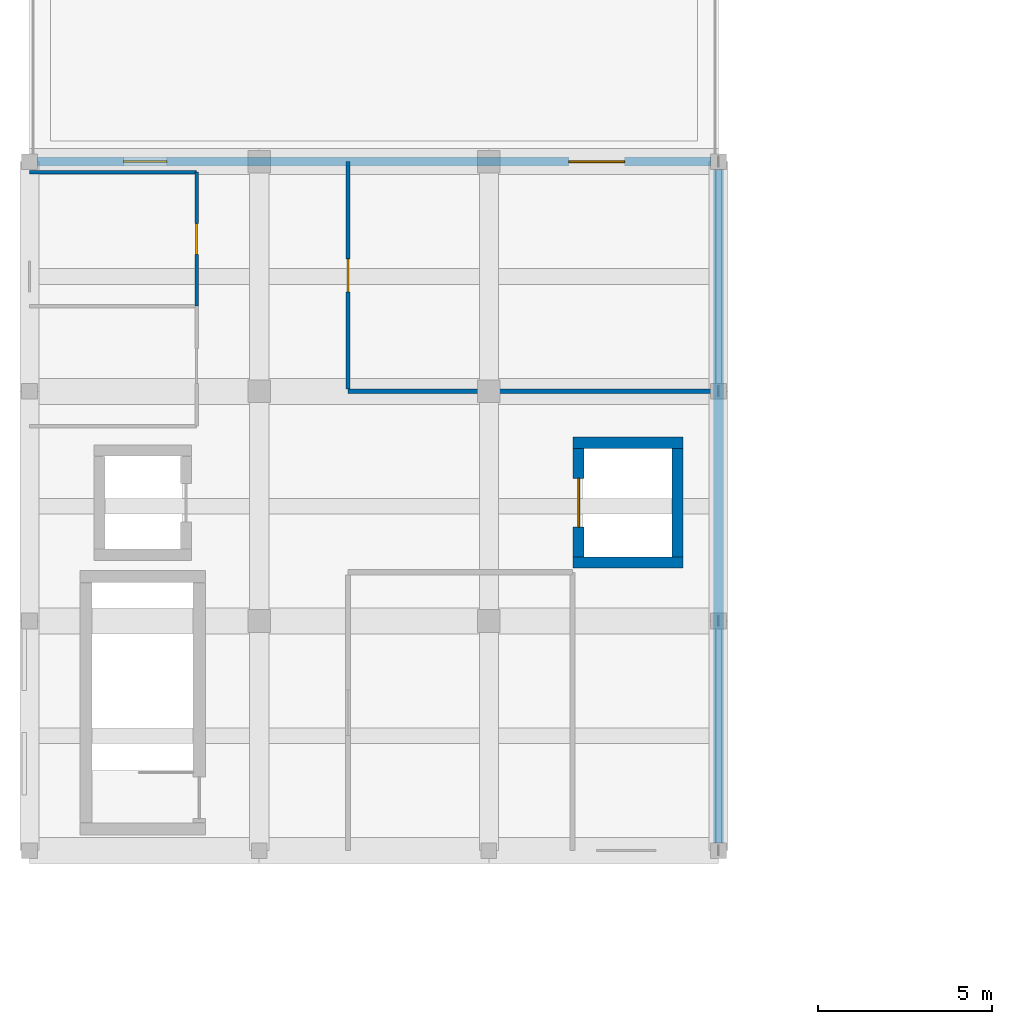
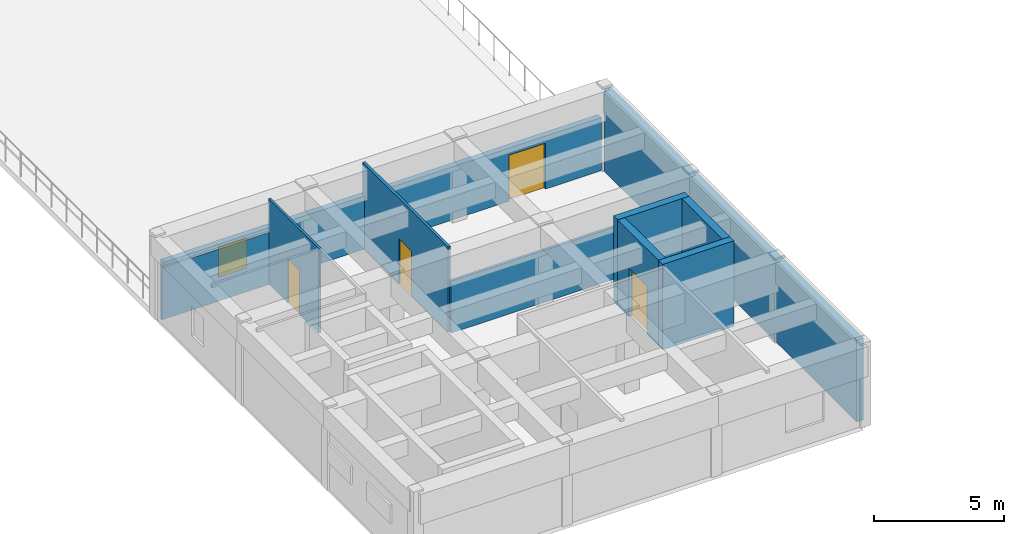
# One storey, part 96 of 106: 10 walls, 4 doors, 1 window, 5 openings.
"""IFC4 building model written with IfcOpenShell, lengths in metres."""

from ifc_helpers import new_model, si_unit, direction, frame, frame_2d, origin, place, context, subcontext, project, spatial, rectangle, extrude, material, layer, layer_set, type_object, element, fill, save


model = new_model("IFC4")

# Units and contexts
model_context = context("Model", 3, precision=1e-05, world=origin(), true_north=direction((0.0, 1.0)))
body_context = subcontext(model_context, "Body", "Model", "MODEL_VIEW")
ifc_project = project(units=[si_unit("LENGTHUNIT", "METRE"), si_unit("AREAUNIT", "SQUARE_METRE"), si_unit("VOLUMEUNIT", "CUBIC_METRE"), si_unit("PLANEANGLEUNIT", "RADIAN"), si_unit("MASSUNIT", "GRAM", prefix="KILO")], contexts=[model_context])

# Site, building, storey
site_placement = place(None, origin())
site = spatial("IfcSite", under=ifc_project, at=site_placement, CompositionType="ELEMENT")
building_placement = place(site_placement, origin())
building = spatial("IfcBuilding", under=site, at=building_placement, Name="Karori Crest Natural Sciences Institute", CompositionType="ELEMENT")
storey_placement = place(building_placement, frame((0.0, 0.0, 25.89990234375)))
storey = spatial("IfcBuildingStorey", under=building, at=storey_placement, Name="L06", CompositionType="ELEMENT", Elevation=25.89990234375)

# Walls
ifc_material_1 = material(Name="Concrete 50 MPa", Category="concrete")
ifc_layer_1 = layer(ifc_material_1, 0.320068359375, Name="Concrete 50 MPa")
ifc_layer_set_1 = layer_set([ifc_layer_1], Name="Concrete 50 MPa")
wall_type_1 = type_object("IfcWallType", Name="IWT-03", PredefinedType="SHEAR", material=ifc_layer_set_1)
for number, where, z_axis, x_axis, name in (
    (1, (23.02001953125, 103.280029296875, 0.0), (0.0, 0.0, 1.0), (1.0, 0.0, 0.0), "Shear wall IW-0547"),
    (2, (23.02001953125, 106.719970703125, 0.0), (0.0, 0.0, 1.0), (1.0, 0.0, 0.0), "Shear wall IW-0548"),
):
    element("IfcWall", number, at=place(storey_placement, frame(where, z_axis=z_axis, x_axis=x_axis)), inside=storey, type_object=wall_type_1, Name=name, PredefinedType="SHEAR", context=body_context, shape_type="SweptSolid", body=[
        extrude(rectangle(XDim=3.159912109375, YDim=0.320068359375, at=frame_2d((1.580078125, 0.0))), origin(), (0.0, 0.0, 1.0), 4.0),
    ])

# Wall, opening, door
wall_1_placement = place(storey_placement, frame((23.179931640625, 103.44189453125, 0.0), z_axis=(0.0, 0.0, 1.0), x_axis=(0.0, 1.0, 0.0)))
wall_1 = element("IfcWall", 3, at=wall_1_placement, inside=storey, type_object=wall_type_1, Name="Shear wall IW-0549", PredefinedType="SHEAR", context=body_context, shape_type="SweptSolid", body=[
    extrude(rectangle(XDim=3.1162109375, YDim=0.320068359375, at=frame_2d((1.55810546875, 0.0))), origin(), (0.0, 0.0, 1.0), 4.0),
])
opening_1_placement = place(wall_1_placement, frame((0.85791015625, 0.0, 0.0)))
opening_1 = element("IfcOpeningElement", 4, at=opening_1_placement, cuts=wall_1, Name="Opening LD-0063", PredefinedType="OPENING", context=body_context, shape_type="SweptSolid", body=[
    extrude(rectangle(XDim=1.39990234375, YDim=2.25, at=frame_2d((0.699951171875, 1.125))), frame((0.0, 0.169921875, 0.0), z_axis=(0.0, -1.0, 0.0), x_axis=(1.0, 0.0, 0.0)), (0.0, 0.0, 1.0), 0.340087890625),
])
ifc_material_2 = material(Name="Stainless steel 316 and fire-rated timber", Category="steel")
door_type_1 = type_object("IfcDoorType", Name="LDT-03", OperationType="DOUBLE_DOOR_SLIDING", PredefinedType="DOOR", material=ifc_material_2)
door_1_placement = place(opening_1_placement, origin())
door_1 = element("IfcDoor", 5, at=door_1_placement, inside=storey, type_object=door_type_1, Name="Lift LG-01 landing door LD-0063", OperationType="DOUBLE_DOOR_SLIDING", OverallHeight=2.25, OverallWidth=1.39990234375, PredefinedType="DOOR", context=body_context, shape_type="SweptSolid", body=[
    extrude(rectangle(XDim=1.39990234375, YDim=2.25, at=frame_2d((0.699951171875, 1.125))), frame((0.0, 0.02490234375, 0.0), z_axis=(0.0, -1.0, 0.0), x_axis=(1.0, 0.0, 0.0)), (0.0, 0.0, 1.0), 0.050048828125),
])
fill(opening_1, door_1)

# Walls
wall_2_placement = place(storey_placement, frame((26.02001953125, 103.44189453125, 0.0), z_axis=(0.0, 0.0, 1.0), x_axis=(0.0, 1.0, 0.0)))
element("IfcWall", 6, at=wall_2_placement, inside=storey, type_object=wall_type_1, Name="Shear wall IW-0550", PredefinedType="SHEAR", context=body_context, shape_type="SweptSolid", body=[
    extrude(rectangle(XDim=3.1162109375, YDim=0.320068359375, at=frame_2d((1.55810546875, 0.0))), origin(), (0.0, 0.0, 1.0), 4.0),
])
ifc_material_3 = material(Name="Write-up office acoustic partition")
ifc_layer_2 = layer(ifc_material_3, 0.1201171875, Name="Write-up office acoustic partition")
ifc_layer_set_2 = layer_set([ifc_layer_2], Name="Write-up office acoustic partition")
wall_type_2 = type_object("IfcWallType", Name="IWT-08", PredefinedType="PARTITIONING", material=ifc_layer_set_2)
wall_3_placement = place(storey_placement, frame((16.550048828125, 108.199951171875, 0.0), z_axis=(0.0, 0.0, 1.0), x_axis=(1.0, 0.0, 0.0)))
element("IfcWall", 7, at=wall_3_placement, inside=storey, type_object=wall_type_2, Name="Partition wall IW-1048", PredefinedType="PARTITIONING", context=body_context, shape_type="SweptSolid", body=[
    extrude(rectangle(XDim=10.64990234375, YDim=0.1201171875, at=frame_2d((5.324951171875, 0.0))), origin(), (0.0, 0.0, 1.0), 2.43505859375),
])

# Wall, opening, door
wall_4_placement = place(storey_placement, frame((16.550048828125, 108.261962890625, 0.0), z_axis=(0.0, 0.0, 1.0), x_axis=(0.0, 1.0, 0.0)))
wall_4 = element("IfcWall", 8, at=wall_4_placement, inside=storey, type_object=wall_type_2, Name="Partition wall IW-1049", PredefinedType="PARTITIONING", context=body_context, shape_type="SweptSolid", body=[
    extrude(rectangle(XDim=6.5380859375, YDim=0.1201171875, at=frame_2d((3.26904296875, 0.0))), origin(), (0.0, 0.0, 1.0), 3.97998046875),
])
opening_2_placement = place(wall_4_placement, frame((2.7939453125, 0.0, 0.0)))
opening_2 = element("IfcOpeningElement", 9, at=opening_2_placement, cuts=wall_4, Name="Opening ID-0292", PredefinedType="OPENING", context=body_context, shape_type="SweptSolid", body=[
    extrude(rectangle(XDim=0.949951171875, YDim=2.10009765625, at=frame_2d((0.47509765625, 1.050048828125))), frame((0.0, 0.070068359375, 0.0), z_axis=(0.0, -1.0, 0.0), x_axis=(1.0, 0.0, 0.0)), (0.0, 0.0, 1.0), 0.14013671875),
])
ifc_material_4 = material(Name="Anodised aluminium and acoustic timber", Category="wood")
door_type_2 = type_object("IfcDoorType", Name="IDT-08", OperationType="NOTDEFINED", PredefinedType="DOOR", material=ifc_material_4)
door_2_placement = place(opening_2_placement, origin())
door_2 = element("IfcDoor", 10, at=door_2_placement, inside=storey, type_object=door_type_2, Name="Botanical Roof Garden Research Lounge door ID-0292", OperationType="SINGLE_SWING_RIGHT", OverallHeight=2.10009765625, OverallWidth=0.949951171875, PredefinedType="DOOR", context=body_context, shape_type="SweptSolid", body=[
    extrude(rectangle(XDim=0.949951171875, YDim=2.10009765625, at=frame_2d((0.47509765625, 1.050048828125))), frame((0.0, 0.02490234375, 0.0), z_axis=(0.0, -1.0, 0.0), x_axis=(1.0, 0.0, 0.0)), (0.0, 0.0, 1.0), 0.050048828125),
])
fill(opening_2, door_2)

# Wall
ifc_material_5 = material(Name="Washroom moisture-resistant partition")
ifc_layer_3 = layer(ifc_material_5, 0.10009765625, Name="Washroom moisture-resistant partition")
ifc_layer_set_3 = layer_set([ifc_layer_3], Name="Washroom moisture-resistant partition")
wall_type_3 = type_object("IfcWallType", Name="IWT-09", PredefinedType="PARTITIONING", material=ifc_layer_set_3)
wall_5_placement = place(storey_placement, frame((7.39990234375, 114.5, 0.0), z_axis=(0.0, 0.0, 1.0), x_axis=(1.0, 0.0, 0.0)))
element("IfcWall", 11, at=wall_5_placement, inside=storey, type_object=wall_type_3, Name="Partition wall IW-1043", PredefinedType="PARTITIONING", context=body_context, shape_type="SweptSolid", body=[
    extrude(rectangle(XDim=4.800048828125, YDim=0.10009765625, at=frame_2d((2.39990234375, 0.0))), origin(), (0.0, 0.0, 1.0), 2.43505859375),
])

# Wall, opening, door
wall_6_placement = place(storey_placement, frame((12.199951171875, 110.652099609375, 0.0), z_axis=(0.0, 0.0, 1.0), x_axis=(0.0, 1.0, 0.0)))
wall_6 = element("IfcWall", 12, at=wall_6_placement, inside=storey, type_object=wall_type_3, Name="Partition wall IW-1044", PredefinedType="PARTITIONING", context=body_context, shape_type="SweptSolid", body=[
    extrude(rectangle(XDim=3.847900390625, YDim=0.10009765625, at=frame_2d((1.923828125, 0.0))), origin(), (0.0, 0.0, 1.0), 3.97998046875),
])
opening_3_placement = place(wall_6_placement, frame((1.48388671875, 0.0, 0.0)))
opening_3 = element("IfcOpeningElement", 13, at=opening_3_placement, cuts=wall_6, Name="Opening ID-0290", PredefinedType="OPENING", context=body_context, shape_type="SweptSolid", body=[
    extrude(rectangle(XDim=0.8798828125, YDim=2.080078125, at=frame_2d((0.43994140625, 1.0400390625))), frame((0.0, 0.06005859375, 0.0), z_axis=(0.0, -1.0, 0.0), x_axis=(1.0, 0.0, 0.0)), (0.0, 0.0, 1.0), 0.1201171875),
])
door_type_3 = type_object("IfcDoorType", Name="IDT-10", OperationType="NOTDEFINED", PredefinedType="DOOR", material=ifc_material_4)
door_3_placement = place(opening_3_placement, origin())
door_3 = element("IfcDoor", 14, at=door_3_placement, inside=storey, type_object=door_type_3, Name="Unisex Washroom WC door ID-0290", OperationType="SINGLE_SWING_RIGHT", OverallHeight=2.080078125, OverallWidth=0.8798828125, PredefinedType="DOOR", context=body_context, shape_type="SweptSolid", body=[
    extrude(rectangle(XDim=0.8798828125, YDim=2.080078125, at=frame_2d((0.43994140625, 1.0400390625))), frame((0.0, 0.02490234375, 0.0), z_axis=(0.0, -1.0, 0.0), x_axis=(1.0, 0.0, 0.0)), (0.0, 0.0, 1.0), 0.050048828125),
])
fill(opening_3, door_3)

# Wall
ifc_material_6 = material(Name="Precast concrete 40 MPa", Category="concrete")
ifc_layer_4 = layer(ifc_material_6, 0.300048828125, Name="Precast concrete 40 MPa")
ifc_layer_set_4 = layer_set([ifc_layer_4], Name="Precast concrete 40 MPa")
wall_type_4 = type_object("IfcWallType", Name="WT-01", PredefinedType="SOLIDWALL", material=ifc_layer_set_4)
wall_7_placement = place(storey_placement, frame((27.199951171875, 114.576904296875, 0.0), z_axis=(0.0, 0.0, 1.0), x_axis=(0.0, -1.0, 0.0)))
element("IfcWall", 15, at=wall_7_placement, inside=storey, type_object=wall_type_4, Name="Exterior wall EW-0181", PredefinedType="SOLIDWALL", context=body_context, shape_type="SweptSolid", body=[
    extrude(rectangle(XDim=19.35400390625, YDim=0.300048828125, at=frame_2d((9.677001953125, 0.0))), origin(), (0.0, 0.0, 1.0), 3.840087890625),
])

# Wall, openings, door, window
ifc_layer_5 = layer(ifc_material_6, 0.260009765625, Name="Precast concrete 40 MPa")
ifc_layer_set_5 = layer_set([ifc_layer_5], Name="Precast concrete 40 MPa")
wall_type_5 = type_object("IfcWallType", Name="WT-03", PredefinedType="SOLIDWALL", material=ifc_layer_set_5)
wall_8_placement = place(storey_placement, frame((7.623046875, 114.800048828125, 0.0), z_axis=(0.0, 0.0, 1.0), x_axis=(1.0, 0.0, 0.0)))
wall_8 = element("IfcWall", 16, at=wall_8_placement, inside=storey, type_object=wall_type_5, Name="Exterior wall EW-0183", PredefinedType="SOLIDWALL", context=body_context, shape_type="SweptSolid", body=[
    extrude(rectangle(XDim=19.35400390625, YDim=0.260009765625, at=frame_2d((9.677001953125, 0.0))), origin(), (0.0, 0.0, 1.0), 2.47998046875),
])
opening_4_placement = place(wall_8_placement, frame((15.277099609375, 0.0, 0.0)))
opening_4 = element("IfcOpeningElement", 17, at=opening_4_placement, cuts=wall_8, Name="Opening ED-0023", PredefinedType="OPENING", context=body_context, shape_type="SweptSolid", body=[
    extrude(rectangle(XDim=1.60009765625, YDim=2.14990234375, at=frame_2d((0.800048828125, 1.074951171875))), frame((0.0, 0.14013671875, 0.0), z_axis=(0.0, -1.0, 0.0), x_axis=(1.0, 0.0, 0.0)), (0.0, 0.0, 1.0), 0.280029296875),
])
opening_5_placement = place(wall_8_placement, frame((2.47705078125, 0.0, 0.85009765625)))
opening_5 = element("IfcOpeningElement", 18, at=opening_5_placement, cuts=wall_8, Name="Opening WN-0127", PredefinedType="OPENING", context=body_context, shape_type="SweptSolid", body=[
    extrude(rectangle(XDim=1.25, YDim=1.39990234375, at=frame_2d((0.625, 0.699951171875))), frame((0.0, 0.14013671875, 0.0), z_axis=(0.0, -1.0, 0.0), x_axis=(1.0, 0.0, 0.0)), (0.0, 0.0, 1.0), 0.280029296875),
])
ifc_material_7 = material(Name="Anodised architectural aluminium 6063-T6", Category="aluminium")
door_type_4 = type_object("IfcDoorType", Name="EDT-05", OperationType="DOUBLE_DOOR_SINGLE_SWING", PredefinedType="DOOR", material=ifc_material_7)
door_4_placement = place(opening_4_placement, origin())
door_4 = element("IfcDoor", 19, at=door_4_placement, inside=storey, type_object=door_type_4, Name="L06 roof garden lounge door ED-0023", OperationType="DOUBLE_DOOR_SINGLE_SWING", OverallHeight=2.14990234375, OverallWidth=1.60009765625, PredefinedType="DOOR", context=body_context, shape_type="SweptSolid", body=[
    extrude(rectangle(XDim=1.60009765625, YDim=2.14990234375, at=frame_2d((0.800048828125, 1.074951171875))), frame((0.0, 0.02490234375, 0.0), z_axis=(0.0, -1.0, 0.0), x_axis=(1.0, 0.0, 0.0)), (0.0, 0.0, 1.0), 0.050048828125),
])
fill(opening_4, door_4)
ifc_material_8 = material(Name="Double low-E laminated glass", Category="glass")
window_type = type_object("IfcWindowType", Name="WNT-02", PartitioningType="SINGLE_PANEL", PredefinedType="WINDOW", material=ifc_material_8)
window_placement = place(opening_5_placement, origin())
window = element("IfcWindow", 20, at=window_placement, inside=storey, type_object=window_type, Name="Window WN-0127", OverallHeight=1.39990234375, OverallWidth=1.25, PartitioningType="SINGLE_PANEL", PredefinedType="WINDOW", context=body_context, shape_type="SweptSolid", body=[
    extrude(rectangle(XDim=1.25, YDim=1.39990234375, at=frame_2d((0.625, 0.699951171875))), frame((0.0, 0.030029296875, 0.0), z_axis=(0.0, -1.0, 0.0), x_axis=(1.0, 0.0, 0.0)), (0.0, 0.0, 1.0), 0.06005859375),
])
fill(opening_5, window)

save(model, "model.ifc")
